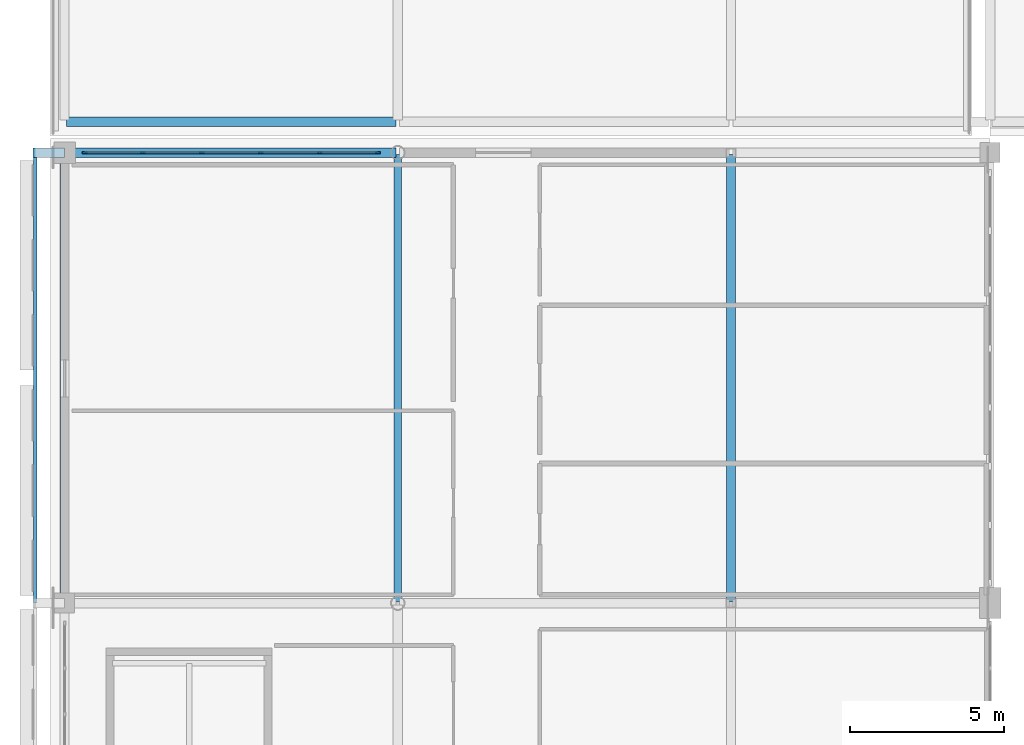
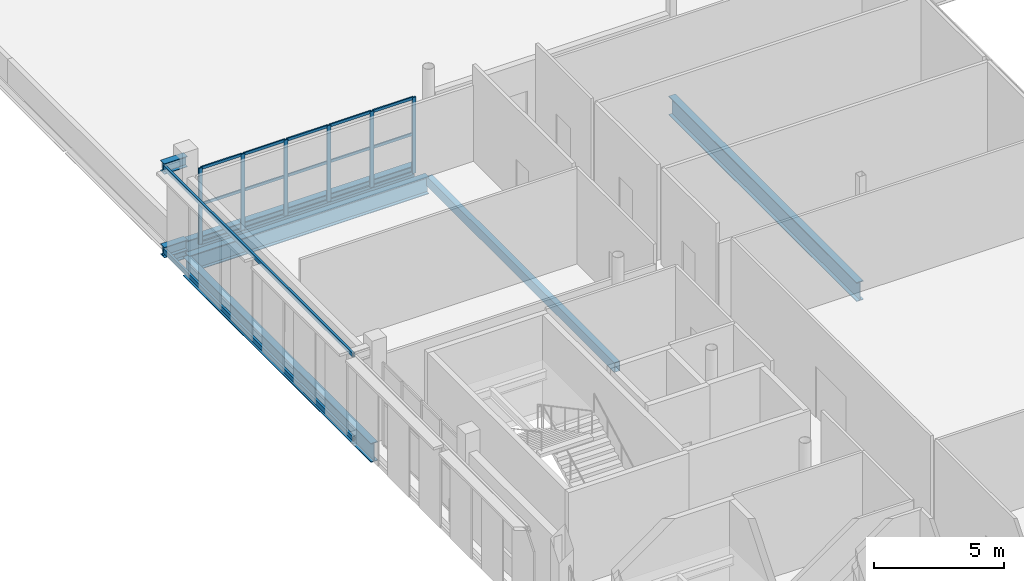
# One storey, part 29 of 104: 23 members, 7 beams, 1 element without a shape of its own.
"""IFC4 building model written with IfcOpenShell, lengths in metres."""

from ifc_helpers import new_model, si_unit, direction, frame, origin, origin_2d, place, context, subcontext, project, spatial, rectangle, hollow_rectangle, i_section, extrude, material, material_profile, profile_set, type_object, element, aggregate, save


model = new_model("IFC4")

# Units and contexts
model_context = context("Model", 3, precision=1e-05, world=origin(), true_north=direction((0.0, 1.0)))
body_context = subcontext(model_context, "Body", "Model", "MODEL_VIEW")
ifc_project = project(units=[si_unit("LENGTHUNIT", "METRE"), si_unit("AREAUNIT", "SQUARE_METRE"), si_unit("VOLUMEUNIT", "CUBIC_METRE"), si_unit("PLANEANGLEUNIT", "RADIAN"), si_unit("MASSUNIT", "GRAM", prefix="KILO")], contexts=[model_context])

# Site, building, storey
site_placement = place(None, origin())
site = spatial("IfcSite", under=ifc_project, at=site_placement, CompositionType="ELEMENT")
building_placement = place(site_placement, origin())
building = spatial("IfcBuilding", under=site, at=building_placement, Name="Koshinbarg Plaza Stadium", CompositionType="ELEMENT")
storey_placement = place(building_placement, frame((0.0, 0.0, 19.800048828125)))
storey = spatial("IfcBuildingStorey", under=building, at=storey_placement, Name="L04", CompositionType="ELEMENT", Elevation=19.800048828125)

# Beams
ifc_material_1 = material(Name="Steel S355", Category="steel")
ifc_material_profile_1 = material_profile(ifc_material_1, i_section(OverallWidth=0.300048828125, OverallDepth=0.5, WebThickness=0.014404296875, FlangeThickness=0.028076171875, at=origin_2d()), Name="HEB 500")
ifc_profile_set_1 = profile_set([ifc_material_profile_1], Name="Steel S355")
beam_type_1 = type_object("IfcBeamType", Name="BM-CANOPY-CANT", PredefinedType="BEAM", material=ifc_profile_set_1)
for number, where, z_axis, x_axis, name in (
    (1, (24.60009765625, 126.5, 0.25), (-1.0, 0.0, 0.0), (0.0, -1.0, 0.0), "Outer screen cantilever outrigger W-L04-Y08"),
    (2, (24.60009765625, 126.5, 4.179931640625), (-1.0, 0.0, 0.0), (0.0, -1.0, 0.0), "Outer screen cantilever outrigger W-L04-Y08"),
):
    element("IfcBeam", number, at=place(storey_placement, frame(where, z_axis=z_axis, x_axis=x_axis)), inside=storey, type_object=beam_type_1, Name=name, PredefinedType="BEAM", context=body_context, shape_type="SweptSolid", body=[
        extrude(i_section(OverallWidth=0.300048828125, OverallDepth=0.5, WebThickness=0.014404296875, FlangeThickness=0.028076171875, at=origin_2d()), origin(), (0.0, 0.0, 1.0), 1.030029296875),
    ])
ifc_material_profile_2 = material_profile(ifc_material_1, i_section(OverallWidth=0.300048828125, OverallDepth=0.800048828125, WebThickness=0.017578125, FlangeThickness=0.032958984375, at=origin_2d()), Name="HEB 800")
ifc_profile_set_2 = profile_set([ifc_material_profile_2], Name="Steel S355")
beam_type_2 = type_object("IfcBeamType", Name="BM-SGIR-04", PredefinedType="USERDEFINED", material=ifc_profile_set_2)
for number, where, z_axis, x_axis, name in (
    (3, (24.659912109375, 126.5, -0.699951171875), (1.0, 0.0, 0.0), (0.0, 1.0, 0.0), "L04 X girder R/5-6"),
    (4, (24.659912109375, 127.5, -0.760009765625), (1.0, 0.0, 0.0), (0.0, 1.0, 0.0), "L04 X girder S/5-6"),
):
    element("IfcBeam", number, at=place(storey_placement, frame(where, z_axis=z_axis, x_axis=x_axis)), inside=storey, type_object=beam_type_2, Name=name, ObjectType="GIRDER", PredefinedType="USERDEFINED", context=body_context, shape_type="SweptSolid", body=[
        extrude(i_section(OverallWidth=0.300048828125, OverallDepth=0.800048828125, WebThickness=0.017578125, FlangeThickness=0.032958984375, at=origin_2d()), origin(), (0.0, 0.0, 1.0), 10.68017578125),
    ])
ifc_material_profile_3 = material_profile(ifc_material_1, i_section(OverallWidth=0.300048828125, OverallDepth=0.89990234375, WebThickness=0.0185546875, FlangeThickness=0.034912109375, at=origin_2d()), Name="HEB 900")
ifc_profile_set_3 = profile_set([ifc_material_profile_3], Name="Steel S355")
beam_type_3 = type_object("IfcBeamType", Name="BM-SGIR-05", PredefinedType="USERDEFINED", material=ifc_profile_set_3)
for number, where, z_axis, x_axis, name in (
    (5, (24.60009765625, 111.9599609375, -0.75), (0.0, 1.0, 0.0), (-1.0, 0.0, 0.0), "L04 Y girder 5/Q-R"),
    (6, (46.199951171875, 111.9599609375, -0.75), (0.0, 1.0, 0.0), (-1.0, 0.0, 0.0), "L04 Y girder 7/Q-R"),
):
    element("IfcBeam", number, at=place(storey_placement, frame(where, z_axis=z_axis, x_axis=x_axis)), inside=storey, type_object=beam_type_3, Name=name, ObjectType="GIRDER", PredefinedType="USERDEFINED", context=body_context, shape_type="SweptSolid", body=[
        extrude(i_section(OverallWidth=0.300048828125, OverallDepth=0.89990234375, WebThickness=0.0185546875, FlangeThickness=0.034912109375, at=origin_2d()), origin(), (0.0, 0.0, 1.0), 14.47998046875),
    ])
ifc_material_profile_4 = material_profile(ifc_material_1, hollow_rectangle(XDim=0.25, YDim=0.449951171875, WallThickness=0.01611328125, at=origin_2d()), Name="RHS 450x250x16")
ifc_profile_set_4 = profile_set([ifc_material_profile_4], Name="Steel S355")
beam_type_4 = type_object("IfcBeamType", Name="BM-SGIR-06", PredefinedType="USERDEFINED", material=ifc_profile_set_4)
beam_placement = place(storey_placement, frame((35.39990234375, 111.9599609375, -0.525146484375), z_axis=(0.0, 1.0, 0.0), x_axis=(-1.0, 0.0, 0.0)))
element("IfcBeam", 7, at=beam_placement, inside=storey, type_object=beam_type_4, Name="L04 Y girder 6/Q-R", ObjectType="GIRDER", PredefinedType="USERDEFINED", context=body_context, shape_type="SweptSolid", body=[
    extrude(hollow_rectangle(XDim=0.25, YDim=0.449951171875, WallThickness=0.01611328125, at=origin_2d()), origin(), (0.0, 0.0, 1.0), 14.47998046875),
])

# Curtain wall, members
ifc_material_2 = material(Name="Thermally broken anodised aluminium and low-E double glazing", Category="aluminium")
curtain_wall_type = type_object("IfcCurtainWallType", Name="CW-SYS-02", PredefinedType="NOTDEFINED", material=ifc_material_2)
curtain_wall_placement = place(storey_placement, origin())
curtain_wall = element("IfcCurtainWall", 8, at=curtain_wall_placement, inside=storey, type_object=curtain_wall_type, Name="L04 unitised curtain wall CW-L04-097", PredefinedType="NOTDEFINED")
ifc_material_3 = material(Name="Anodised aluminium mullion", Category="aluminium")
ifc_material_profile_5 = material_profile(ifc_material_3, rectangle(XDim=0.06005859375, YDim=0.159912109375, at=origin_2d()), Name="ALU 60x160")
ifc_profile_set_5 = profile_set([ifc_material_profile_5], Name="Anodised aluminium mullion")
member_type_1 = type_object("IfcMemberType", Name="CW-MUL-02", PredefinedType="MULLION", material=ifc_profile_set_5)
member_1_placement = place(storey_placement, frame((25.25, 126.5, 0.0), z_axis=(0.0, 0.0, 1.0), x_axis=(0.0, 1.0, 0.0)))
member_1 = element("IfcMember", 9, at=member_1_placement, type_object=member_type_1, Name="CW02 mullion 1", PredefinedType="MULLION", context=body_context, shape_type="SweptSolid", body=[
    extrude(rectangle(XDim=0.06005859375, YDim=0.159912109375, at=origin_2d()), origin(), (0.0, 0.0, 1.0), 3.579833984375),
])
member_2_placement = place(storey_placement, frame((27.132080078125, 126.5, 0.0), z_axis=(0.0, 0.0, 1.0), x_axis=(0.0, 1.0, 0.0)))
member_2 = element("IfcMember", 10, at=member_2_placement, type_object=member_type_1, Name="CW02 mullion 2", PredefinedType="MULLION", context=body_context, shape_type="SweptSolid", body=[
    extrude(rectangle(XDim=0.06005859375, YDim=0.159912109375, at=origin_2d()), origin(), (0.0, 0.0, 1.0), 3.579833984375),
])
member_3_placement = place(storey_placement, frame((29.0439453125, 126.5, 0.0), z_axis=(0.0, 0.0, 1.0), x_axis=(0.0, 1.0, 0.0)))
member_3 = element("IfcMember", 11, at=member_3_placement, type_object=member_type_1, Name="CW02 mullion 3", PredefinedType="MULLION", context=body_context, shape_type="SweptSolid", body=[
    extrude(rectangle(XDim=0.06005859375, YDim=0.159912109375, at=origin_2d()), origin(), (0.0, 0.0, 1.0), 3.579833984375),
])
member_4_placement = place(storey_placement, frame((30.9560546875, 126.5, 0.0), z_axis=(0.0, 0.0, 1.0), x_axis=(0.0, 1.0, 0.0)))
member_4 = element("IfcMember", 12, at=member_4_placement, type_object=member_type_1, Name="CW02 mullion 4", PredefinedType="MULLION", context=body_context, shape_type="SweptSolid", body=[
    extrude(rectangle(XDim=0.06005859375, YDim=0.159912109375, at=origin_2d()), origin(), (0.0, 0.0, 1.0), 3.579833984375),
])
member_5_placement = place(storey_placement, frame((32.867919921875, 126.5, 0.0), z_axis=(0.0, 0.0, 1.0), x_axis=(0.0, 1.0, 0.0)))
member_5 = element("IfcMember", 13, at=member_5_placement, type_object=member_type_1, Name="CW02 mullion 5", PredefinedType="MULLION", context=body_context, shape_type="SweptSolid", body=[
    extrude(rectangle(XDim=0.06005859375, YDim=0.159912109375, at=origin_2d()), origin(), (0.0, 0.0, 1.0), 3.579833984375),
])
member_6_placement = place(storey_placement, frame((34.75, 126.5, 0.0), z_axis=(0.0, 0.0, 1.0), x_axis=(0.0, 1.0, 0.0)))
member_6 = element("IfcMember", 14, at=member_6_placement, type_object=member_type_1, Name="CW02 mullion 6", PredefinedType="MULLION", context=body_context, shape_type="SweptSolid", body=[
    extrude(rectangle(XDim=0.06005859375, YDim=0.159912109375, at=origin_2d()), origin(), (0.0, 0.0, 1.0), 3.579833984375),
])
ifc_material_4 = material(Name="Anodised aluminium transom", Category="aluminium")
ifc_material_profile_6 = material_profile(ifc_material_4, rectangle(XDim=0.06005859375, YDim=0.1298828125, at=origin_2d()), Name="ALU 60x130")
ifc_profile_set_6 = profile_set([ifc_material_profile_6], Name="Anodised aluminium transom")
member_type_2 = type_object("IfcMemberType", Name="CW-TRN-02", PredefinedType="USERDEFINED", material=ifc_profile_set_6)
member_7_placement = place(storey_placement, frame((25.280029296875, 126.5, 0.030029296875), z_axis=(1.0, 0.0, 0.0), x_axis=(0.0, 1.0, 0.0)))
member_7 = element("IfcMember", 15, at=member_7_placement, type_object=member_type_2, Name="CW02 transom 1.1", ObjectType="TRANSOM", PredefinedType="USERDEFINED", context=body_context, shape_type="SweptSolid", body=[
    extrude(rectangle(XDim=0.06005859375, YDim=0.1298828125, at=origin_2d()), origin(), (0.0, 0.0, 1.0), 1.822021484375),
])
member_8_placement = place(storey_placement, frame((25.280029296875, 126.5, 1.861572265625), z_axis=(1.0, 0.0, 0.0), x_axis=(0.0, 1.0, 0.0)))
member_8 = element("IfcMember", 16, at=member_8_placement, type_object=member_type_2, Name="CW02 transom 1.2", ObjectType="TRANSOM", PredefinedType="USERDEFINED", context=body_context, shape_type="SweptSolid", body=[
    extrude(rectangle(XDim=0.06005859375, YDim=0.1298828125, at=origin_2d()), origin(), (0.0, 0.0, 1.0), 1.822021484375),
])
member_9_placement = place(storey_placement, frame((25.280029296875, 126.5, 3.550048828125), z_axis=(1.0, 0.0, 0.0), x_axis=(0.0, 1.0, 0.0)))
member_9 = element("IfcMember", 17, at=member_9_placement, type_object=member_type_2, Name="CW02 transom 1.3", ObjectType="TRANSOM", PredefinedType="USERDEFINED", context=body_context, shape_type="SweptSolid", body=[
    extrude(rectangle(XDim=0.06005859375, YDim=0.1298828125, at=origin_2d()), origin(), (0.0, 0.0, 1.0), 1.822021484375),
])
member_10_placement = place(storey_placement, frame((27.162109375, 126.5, 0.030029296875), z_axis=(1.0, 0.0, 0.0), x_axis=(0.0, 1.0, 0.0)))
member_10 = element("IfcMember", 18, at=member_10_placement, type_object=member_type_2, Name="CW02 transom 2.1", ObjectType="TRANSOM", PredefinedType="USERDEFINED", context=body_context, shape_type="SweptSolid", body=[
    extrude(rectangle(XDim=0.06005859375, YDim=0.1298828125, at=origin_2d()), origin(), (0.0, 0.0, 1.0), 1.851806640625),
])
member_11_placement = place(storey_placement, frame((27.162109375, 126.5, 1.861572265625), z_axis=(1.0, 0.0, 0.0), x_axis=(0.0, 1.0, 0.0)))
member_11 = element("IfcMember", 19, at=member_11_placement, type_object=member_type_2, Name="CW02 transom 2.2", ObjectType="TRANSOM", PredefinedType="USERDEFINED", context=body_context, shape_type="SweptSolid", body=[
    extrude(rectangle(XDim=0.06005859375, YDim=0.1298828125, at=origin_2d()), origin(), (0.0, 0.0, 1.0), 1.851806640625),
])
member_12_placement = place(storey_placement, frame((27.162109375, 126.5, 3.550048828125), z_axis=(1.0, 0.0, 0.0), x_axis=(0.0, 1.0, 0.0)))
member_12 = element("IfcMember", 20, at=member_12_placement, type_object=member_type_2, Name="CW02 transom 2.3", ObjectType="TRANSOM", PredefinedType="USERDEFINED", context=body_context, shape_type="SweptSolid", body=[
    extrude(rectangle(XDim=0.06005859375, YDim=0.1298828125, at=origin_2d()), origin(), (0.0, 0.0, 1.0), 1.851806640625),
])
member_13_placement = place(storey_placement, frame((29.073974609375, 126.5, 0.030029296875), z_axis=(1.0, 0.0, 0.0), x_axis=(0.0, 1.0, 0.0)))
member_13 = element("IfcMember", 21, at=member_13_placement, type_object=member_type_2, Name="CW02 transom 3.1", ObjectType="TRANSOM", PredefinedType="USERDEFINED", context=body_context, shape_type="SweptSolid", body=[
    extrude(rectangle(XDim=0.06005859375, YDim=0.1298828125, at=origin_2d()), origin(), (0.0, 0.0, 1.0), 1.85205078125),
])
member_14_placement = place(storey_placement, frame((29.073974609375, 126.5, 1.861572265625), z_axis=(1.0, 0.0, 0.0), x_axis=(0.0, 1.0, 0.0)))
member_14 = element("IfcMember", 22, at=member_14_placement, type_object=member_type_2, Name="CW02 transom 3.2", ObjectType="TRANSOM", PredefinedType="USERDEFINED", context=body_context, shape_type="SweptSolid", body=[
    extrude(rectangle(XDim=0.06005859375, YDim=0.1298828125, at=origin_2d()), origin(), (0.0, 0.0, 1.0), 1.85205078125),
])
member_15_placement = place(storey_placement, frame((29.073974609375, 126.5, 3.550048828125), z_axis=(1.0, 0.0, 0.0), x_axis=(0.0, 1.0, 0.0)))
member_15 = element("IfcMember", 23, at=member_15_placement, type_object=member_type_2, Name="CW02 transom 3.3", ObjectType="TRANSOM", PredefinedType="USERDEFINED", context=body_context, shape_type="SweptSolid", body=[
    extrude(rectangle(XDim=0.06005859375, YDim=0.1298828125, at=origin_2d()), origin(), (0.0, 0.0, 1.0), 1.85205078125),
])
member_16_placement = place(storey_placement, frame((30.986083984375, 126.5, 0.030029296875), z_axis=(1.0, 0.0, 0.0), x_axis=(0.0, 1.0, 0.0)))
member_16 = element("IfcMember", 24, at=member_16_placement, type_object=member_type_2, Name="CW02 transom 4.1", ObjectType="TRANSOM", PredefinedType="USERDEFINED", context=body_context, shape_type="SweptSolid", body=[
    extrude(rectangle(XDim=0.06005859375, YDim=0.1298828125, at=origin_2d()), origin(), (0.0, 0.0, 1.0), 1.851806640625),
])
member_17_placement = place(storey_placement, frame((30.986083984375, 126.5, 1.861572265625), z_axis=(1.0, 0.0, 0.0), x_axis=(0.0, 1.0, 0.0)))
member_17 = element("IfcMember", 25, at=member_17_placement, type_object=member_type_2, Name="CW02 transom 4.2", ObjectType="TRANSOM", PredefinedType="USERDEFINED", context=body_context, shape_type="SweptSolid", body=[
    extrude(rectangle(XDim=0.06005859375, YDim=0.1298828125, at=origin_2d()), origin(), (0.0, 0.0, 1.0), 1.851806640625),
])
member_18_placement = place(storey_placement, frame((30.986083984375, 126.5, 3.550048828125), z_axis=(1.0, 0.0, 0.0), x_axis=(0.0, 1.0, 0.0)))
member_18 = element("IfcMember", 26, at=member_18_placement, type_object=member_type_2, Name="CW02 transom 4.3", ObjectType="TRANSOM", PredefinedType="USERDEFINED", context=body_context, shape_type="SweptSolid", body=[
    extrude(rectangle(XDim=0.06005859375, YDim=0.1298828125, at=origin_2d()), origin(), (0.0, 0.0, 1.0), 1.851806640625),
])
member_19_placement = place(storey_placement, frame((32.89794921875, 126.5, 0.030029296875), z_axis=(1.0, 0.0, 0.0), x_axis=(0.0, 1.0, 0.0)))
member_19 = element("IfcMember", 27, at=member_19_placement, type_object=member_type_2, Name="CW02 transom 5.1", ObjectType="TRANSOM", PredefinedType="USERDEFINED", context=body_context, shape_type="SweptSolid", body=[
    extrude(rectangle(XDim=0.06005859375, YDim=0.1298828125, at=origin_2d()), origin(), (0.0, 0.0, 1.0), 1.822021484375),
])
member_20_placement = place(storey_placement, frame((32.89794921875, 126.5, 1.861572265625), z_axis=(1.0, 0.0, 0.0), x_axis=(0.0, 1.0, 0.0)))
member_20 = element("IfcMember", 28, at=member_20_placement, type_object=member_type_2, Name="CW02 transom 5.2", ObjectType="TRANSOM", PredefinedType="USERDEFINED", context=body_context, shape_type="SweptSolid", body=[
    extrude(rectangle(XDim=0.06005859375, YDim=0.1298828125, at=origin_2d()), origin(), (0.0, 0.0, 1.0), 1.822021484375),
])
member_21_placement = place(storey_placement, frame((32.89794921875, 126.5, 3.550048828125), z_axis=(1.0, 0.0, 0.0), x_axis=(0.0, 1.0, 0.0)))
member_21 = element("IfcMember", 29, at=member_21_placement, type_object=member_type_2, Name="CW02 transom 5.3", ObjectType="TRANSOM", PredefinedType="USERDEFINED", context=body_context, shape_type="SweptSolid", body=[
    extrude(rectangle(XDim=0.06005859375, YDim=0.1298828125, at=origin_2d()), origin(), (0.0, 0.0, 1.0), 1.822021484375),
])
aggregate(curtain_wall, [member_1, member_2, member_3, member_4, member_5, member_6, member_7, member_8, member_9, member_10, member_11, member_12, member_13, member_14, member_15, member_16, member_17, member_18, member_19, member_20, member_21])

# Members
ifc_material_profile_7 = material_profile(ifc_material_1, hollow_rectangle(XDim=0.10009765625, YDim=0.199951171875, WallThickness=0.008056640625, at=origin_2d()), Name="RHS 200x100x8")
ifc_profile_set_7 = profile_set([ifc_material_profile_7], Name="Steel S355")
member_type_3 = type_object("IfcMemberType", Name="MB-PURL-03", PredefinedType="PURLIN", material=ifc_profile_set_7)
for number, where, z_axis, x_axis, name in (
    (30, (23.64990234375, 111.89990234375, 0.25), (0.0, 1.0, 0.0), (-1.0, 0.0, 0.0), "L04 outer screen subframe rail W-7-BOT"),
    (31, (23.64990234375, 111.89990234375, 4.179931640625), (0.0, 1.0, 0.0), (-1.0, 0.0, 0.0), "L04 outer screen subframe rail W-7-TOP"),
):
    element("IfcMember", number, at=place(storey_placement, frame(where, z_axis=z_axis, x_axis=x_axis)), inside=storey, type_object=member_type_3, Name=name, PredefinedType="PURLIN", context=body_context, shape_type="SweptSolid", body=[
        extrude(hollow_rectangle(XDim=0.10009765625, YDim=0.199951171875, WallThickness=0.008056640625, at=origin_2d()), origin(), (0.0, 0.0, 1.0), 14.60009765625),
    ])

save(model, "model.ifc")
